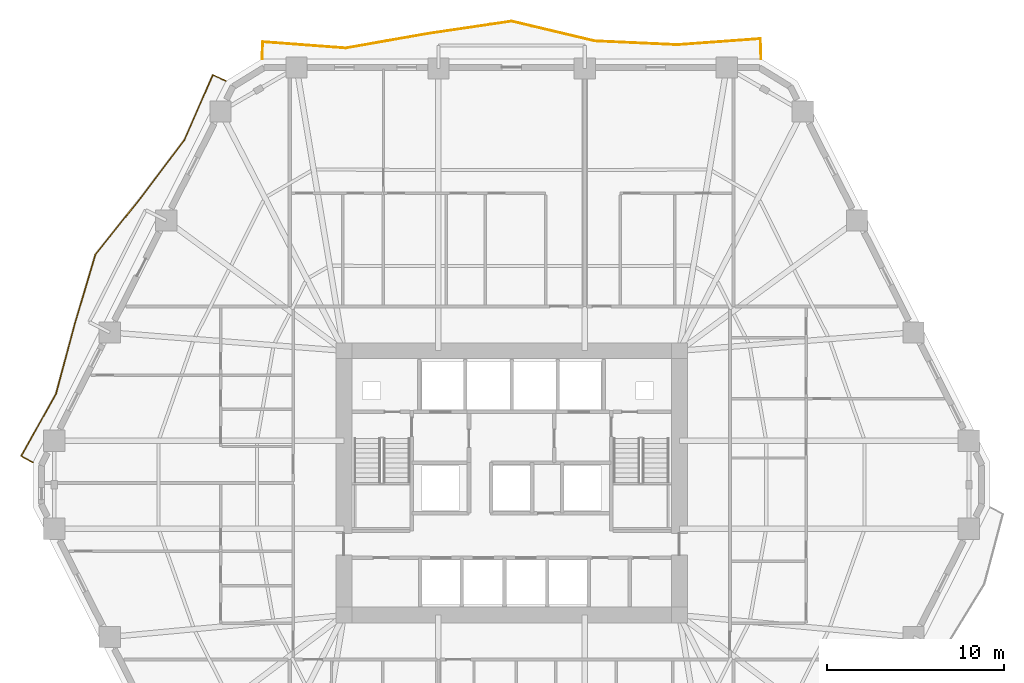
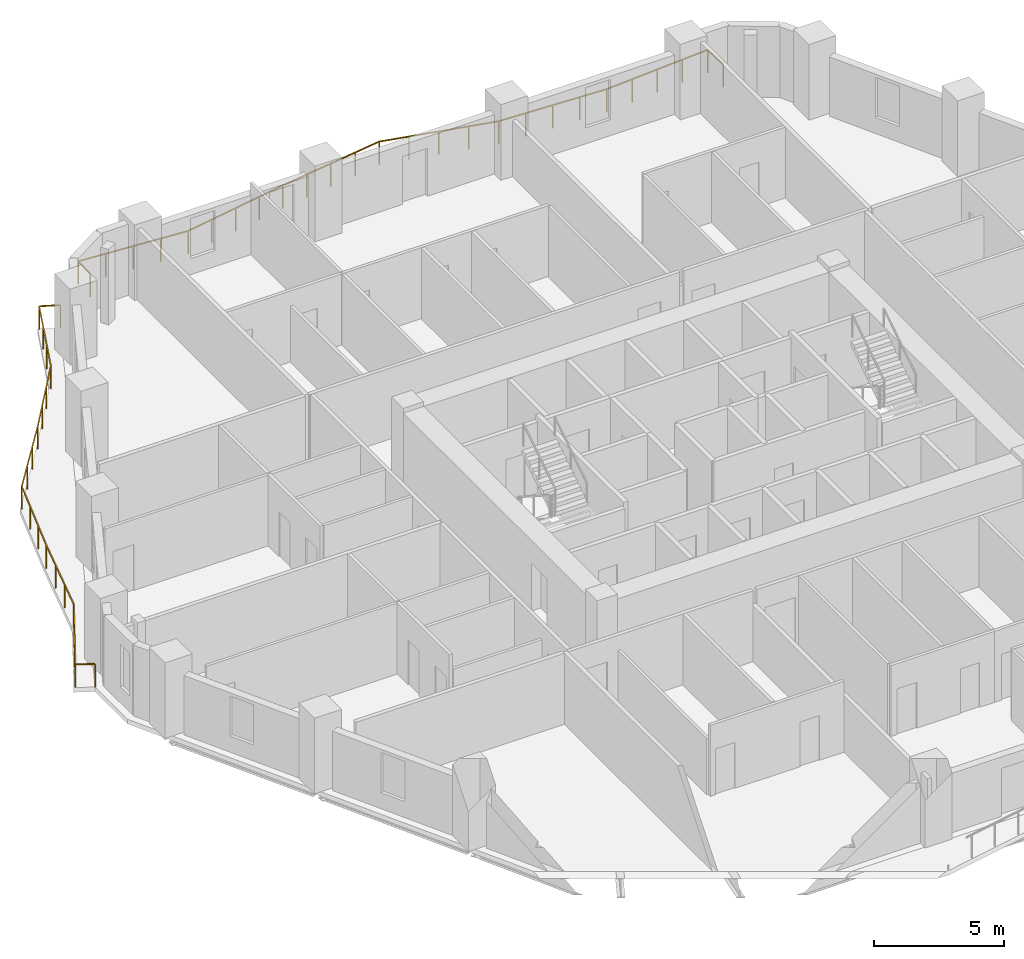
# One storey, part 12 of 12: 2 railings.
"""IFC4 building model written with IfcOpenShell, lengths in metres."""

from ifc_helpers import new_model, si_unit, direction, frame, origin, origin_2d, place, context, subcontext, project, spatial, rectangle, extrude, material, type_object, element, save


model = new_model("IFC4")

# Units and contexts
model_context = context("Model", 3, precision=1e-05, world=origin(), true_north=direction((0.0, 1.0)))
body_context = subcontext(model_context, "Body", "Model", "MODEL_VIEW")
ifc_project = project(units=[si_unit("LENGTHUNIT", "METRE"), si_unit("AREAUNIT", "SQUARE_METRE"), si_unit("VOLUMEUNIT", "CUBIC_METRE"), si_unit("PLANEANGLEUNIT", "RADIAN"), si_unit("MASSUNIT", "GRAM", prefix="KILO")], contexts=[model_context])

# Site, building, storey
site_placement = place(None, origin())
site = spatial("IfcSite", under=ifc_project, at=site_placement, CompositionType="ELEMENT")
building_placement = place(site_placement, origin())
building = spatial("IfcBuilding", under=site, at=building_placement, Name="Cinnabar Lancet Tower", CompositionType="ELEMENT")
storey_placement = place(building_placement, frame((0.0, 0.0, 32.0)))
storey = spatial("IfcBuildingStorey", under=building, at=storey_placement, Name="L07", CompositionType="ELEMENT", Elevation=32.0)

# Railings
ifc_material = material(Name="Laminated safety glass and bronze stainless steel balustrade", Category="steel")
railing_type = type_object("IfcRailingType", Name="ENV-RLG-BAL-1100", PredefinedType="BALUSTRADE", material=ifc_material)
railing_1_placement = place(storey_placement, frame((46.4560546875, 49.800048828125, 0.0)))
element("IfcRailing", 1, at=railing_1_placement, inside=storey, type_object=railing_type, Name="L07 Face 4 Wave Balcony Balustrade", PredefinedType="BALUSTRADE", context=body_context, shape_type="SweptSolid", body=[
    extrude(rectangle(XDim=0.048095703125, YDim=0.048095703125, at=origin_2d()), frame((0.0, 0.0, 1.076171875), z_axis=(-0.029995133036, 0.999550044767, 0.0), x_axis=(-0.999550044767, -0.029995133036, 0.0)), (0.0, 0.0, 1.0), 1.13134765625),
    extrude(rectangle(XDim=0.048095703125, YDim=0.048095703125, at=origin_2d()), frame((-0.033935546875, 1.130859375, 1.076171875), z_axis=(-0.997339174524, -0.07290110397, 0.0), x_axis=(0.07290110397, -0.997339174524, 0.0)), (0.0, 0.0, 1.0), 4.6884765625),
    extrude(rectangle(XDim=0.048095703125, YDim=0.048095703125, at=origin_2d()), frame((-4.7099609375, 0.7890625, 1.076171875), z_axis=(-0.998945280208, 0.045916523718, 0.0), x_axis=(-0.045916523718, -0.998945280208, 0.0)), (0.0, 0.0, 1.0), 4.678955078125),
    extrude(rectangle(XDim=0.048095703125, YDim=0.048095703125, at=origin_2d()), frame((-9.384033203125, 1.00390625, 1.076171875), z_axis=(-0.972776754659, 0.231744224512, 0.0), x_axis=(-0.231744224512, -0.972776754659, 0.0)), (0.0, 0.0, 1.0), 4.802978515625),
    extrude(rectangle(XDim=0.048095703125, YDim=0.048095703125, at=origin_2d()), frame((-14.05615234375, 2.116943359375, 1.076171875), z_axis=(-0.989240623333, -0.146297604726, 0.0), x_axis=(0.146297604726, -0.989240623333, 0.0)), (0.0, 0.0, 1.0), 4.72265625),
    extrude(rectangle(XDim=0.048095703125, YDim=0.048095703125, at=origin_2d()), frame((-18.72802734375, 1.426025390625, 1.076171875), z_axis=(-0.984884896707, -0.17321010432, 0.0), x_axis=(0.17321010432, -0.984884896707, 0.0)), (0.0, 0.0, 1.0), 4.745849609375),
    extrude(rectangle(XDim=0.048095703125, YDim=0.048095703125, at=origin_2d()), frame((-23.402099609375, 0.60400390625, 1.076171875), z_axis=(-0.997212787358, 0.074610031028, 0.0), x_axis=(-0.074610031028, -0.997212787358, 0.0)), (0.0, 0.0, 1.0), 4.689208984375),
    extrude(rectangle(XDim=0.048095703125, YDim=0.048095703125, at=origin_2d()), frame((-28.078125, 0.953857421875, 1.076171875), z_axis=(-0.035554674902, -0.999367732665, 0.0), x_axis=(0.999367732665, -0.035554674902, 0.0)), (0.0, 0.0, 1.0), 0.954345703125),
    extrude(rectangle(XDim=0.0419921875, YDim=0.0419921875, at=origin_2d()), origin(), (0.0, 0.0, 1.0), 1.052001953125),
    extrude(rectangle(XDim=0.0419921875, YDim=0.0419921875, at=origin_2d()), frame((-0.033935546875, 1.130859375, 0.0)), (0.0, 0.0, 1.0), 1.052001953125),
    extrude(rectangle(XDim=0.0419921875, YDim=0.0419921875, at=origin_2d()), frame((-1.202880859375, 1.04541015625, 0.0)), (0.0, 0.0, 1.0), 1.052001953125),
    extrude(rectangle(XDim=0.0419921875, YDim=0.0419921875, at=origin_2d()), frame((-2.3720703125, 0.9599609375, 0.0)), (0.0, 0.0, 1.0), 1.052001953125),
    extrude(rectangle(XDim=0.0419921875, YDim=0.0419921875, at=origin_2d()), frame((-3.541015625, 0.87451171875, 0.0)), (0.0, 0.0, 1.0), 1.052001953125),
    extrude(rectangle(XDim=0.0419921875, YDim=0.0419921875, at=origin_2d()), frame((-4.7099609375, 0.7890625, 0.0)), (0.0, 0.0, 1.0), 1.052001953125),
    extrude(rectangle(XDim=0.0419921875, YDim=0.0419921875, at=origin_2d()), frame((-5.87841796875, 0.8427734375, 0.0)), (0.0, 0.0, 1.0), 1.052001953125),
    extrude(rectangle(XDim=0.0419921875, YDim=0.0419921875, at=origin_2d()), frame((-7.046875, 0.896484375, 0.0)), (0.0, 0.0, 1.0), 1.052001953125),
    extrude(rectangle(XDim=0.0419921875, YDim=0.0419921875, at=origin_2d()), frame((-8.215576171875, 0.9501953125, 0.0)), (0.0, 0.0, 1.0), 1.052001953125),
    extrude(rectangle(XDim=0.0419921875, YDim=0.0419921875, at=origin_2d()), frame((-9.384033203125, 1.00390625, 0.0)), (0.0, 0.0, 1.0), 1.052001953125),
    extrude(rectangle(XDim=0.0419921875, YDim=0.0419921875, at=origin_2d()), frame((-10.552001953125, 1.2822265625, 0.0)), (0.0, 0.0, 1.0), 1.052001953125),
    extrude(rectangle(XDim=0.0419921875, YDim=0.0419921875, at=origin_2d()), frame((-11.72021484375, 1.560546875, 0.0)), (0.0, 0.0, 1.0), 1.052001953125),
    extrude(rectangle(XDim=0.0419921875, YDim=0.0419921875, at=origin_2d()), frame((-12.88818359375, 1.838623046875, 0.0)), (0.0, 0.0, 1.0), 1.052001953125),
    extrude(rectangle(XDim=0.0419921875, YDim=0.0419921875, at=origin_2d()), frame((-14.05615234375, 2.116943359375, 0.0)), (0.0, 0.0, 1.0), 1.052001953125),
    extrude(rectangle(XDim=0.0419921875, YDim=0.0419921875, at=origin_2d()), frame((-15.22412109375, 1.9443359375, 0.0)), (0.0, 0.0, 1.0), 1.052001953125),
    extrude(rectangle(XDim=0.0419921875, YDim=0.0419921875, at=origin_2d()), frame((-16.39208984375, 1.771484375, 0.0)), (0.0, 0.0, 1.0), 1.052001953125),
    extrude(rectangle(XDim=0.0419921875, YDim=0.0419921875, at=origin_2d()), frame((-17.56005859375, 1.5986328125, 0.0)), (0.0, 0.0, 1.0), 1.052001953125),
    extrude(rectangle(XDim=0.0419921875, YDim=0.0419921875, at=origin_2d()), frame((-18.72802734375, 1.426025390625, 0.0)), (0.0, 0.0, 1.0), 1.052001953125),
    extrude(rectangle(XDim=0.0419921875, YDim=0.0419921875, at=origin_2d()), frame((-19.896484375, 1.220458984375, 0.0)), (0.0, 0.0, 1.0), 1.052001953125),
    extrude(rectangle(XDim=0.0419921875, YDim=0.0419921875, at=origin_2d()), frame((-21.06494140625, 1.01513671875, 0.0)), (0.0, 0.0, 1.0), 1.052001953125),
    extrude(rectangle(XDim=0.0419921875, YDim=0.0419921875, at=origin_2d()), frame((-22.233642578125, 0.8095703125, 0.0)), (0.0, 0.0, 1.0), 1.052001953125),
    extrude(rectangle(XDim=0.0419921875, YDim=0.0419921875, at=origin_2d()), frame((-23.402099609375, 0.60400390625, 0.0)), (0.0, 0.0, 1.0), 1.052001953125),
    extrude(rectangle(XDim=0.0419921875, YDim=0.0419921875, at=origin_2d()), frame((-24.571044921875, 0.69140625, 0.0)), (0.0, 0.0, 1.0), 1.052001953125),
    extrude(rectangle(XDim=0.0419921875, YDim=0.0419921875, at=origin_2d()), frame((-25.740234375, 0.77880859375, 0.0)), (0.0, 0.0, 1.0), 1.052001953125),
    extrude(rectangle(XDim=0.0419921875, YDim=0.0419921875, at=origin_2d()), frame((-26.9091796875, 0.866455078125, 0.0)), (0.0, 0.0, 1.0), 1.052001953125),
    extrude(rectangle(XDim=0.0419921875, YDim=0.0419921875, at=origin_2d()), frame((-28.078125, 0.953857421875, 0.0)), (0.0, 0.0, 1.0), 1.052001953125),
    extrude(rectangle(XDim=0.0419921875, YDim=0.0419921875, at=origin_2d()), frame((-28.112060546875, 0.0, 0.0)), (0.0, 0.0, 1.0), 1.052001953125),
])
railing_2_placement = place(storey_placement, frame((16.31201171875, 48.551025390625, 0.0)))
element("IfcRailing", 2, at=railing_2_placement, inside=storey, type_object=railing_type, Name="L07 Face 5 Wave Balcony Balustrade", PredefinedType="BALUSTRADE", context=body_context, shape_type="SweptSolid", body=[
    extrude(rectangle(XDim=0.048095703125, YDim=0.048095703125, at=origin_2d()), frame((0.0, 0.0, 1.076171875), z_axis=(-0.909195732356, 0.416368971304, 0.0), x_axis=(-0.416368971304, -0.909195732356, 0.0)), (0.0, 0.0, 1.0), 0.82373046875),
    extrude(rectangle(XDim=0.048095703125, YDim=0.048095703125, at=origin_2d()), frame((-0.7490234375, 0.343017578125, 1.076171875), z_axis=(-0.40006892824, -0.916485053155, 0.0), x_axis=(0.916485053155, -0.40006892824, 0.0)), (0.0, 0.0, 1.0), 4.01416015625),
    extrude(rectangle(XDim=0.048095703125, YDim=0.048095703125, at=origin_2d()), frame((-2.35498046875, -3.3359375, 1.076171875), z_axis=(-0.602836482743, -0.79786475989, 0.0), x_axis=(0.79786475989, -0.602836482743, 0.0)), (0.0, 0.0, 1.0), 4.071044921875),
    extrude(rectangle(XDim=0.048095703125, YDim=0.048095703125, at=origin_2d()), frame((-4.80908203125, -6.583984375, 1.076171875), z_axis=(-0.624411226015, -0.781095782108, 0.0), x_axis=(0.781095782108, -0.624411226015, 0.0)), (0.0, 0.0, 1.0), 4.091796875),
    extrude(rectangle(XDim=0.048095703125, YDim=0.048095703125, at=origin_2d()), frame((-7.364013671875, -9.780029296875, 1.076171875), z_axis=(-0.284645645205, -0.958632805961, 0.0), x_axis=(0.958632805961, -0.284645645205, 0.0)), (0.0, 0.0, 1.0), 4.071533203125),
    extrude(rectangle(XDim=0.048095703125, YDim=0.048095703125, at=origin_2d()), frame((-8.52294921875, -13.68310546875, 1.076171875), z_axis=(-0.260031247645, -0.965600202075, 0.0), x_axis=(0.965600202075, -0.260031247645, 0.0)), (0.0, 0.0, 1.0), 4.091796875),
    extrude(rectangle(XDim=0.048095703125, YDim=0.048095703125, at=origin_2d()), frame((-9.5869140625, -17.634033203125, 1.076171875), z_axis=(-0.487750405894, -0.872983127873, 0.0), x_axis=(0.872983127873, -0.487750405894, 0.0)), (0.0, 0.0, 1.0), 4.01025390625),
    extrude(rectangle(XDim=0.048095703125, YDim=0.048095703125, at=origin_2d()), frame((-11.54296875, -21.135009765625, 1.076171875), z_axis=(0.874885893196, -0.484329096675, 0.0), x_axis=(0.484329096675, 0.874885893196, 0.0)), (0.0, 0.0, 1.0), 0.757568359375),
    extrude(rectangle(XDim=0.0419921875, YDim=0.0419921875, at=origin_2d()), origin(), (0.0, 0.0, 1.0), 1.052001953125),
    extrude(rectangle(XDim=0.0419921875, YDim=0.0419921875, at=origin_2d()), frame((-0.7490234375, 0.343017578125, 0.0)), (0.0, 0.0, 1.0), 1.052001953125),
    extrude(rectangle(XDim=0.0419921875, YDim=0.0419921875, at=origin_2d()), frame((-1.284423828125, -0.88330078125, 0.0)), (0.0, 0.0, 1.0), 1.052001953125),
    extrude(rectangle(XDim=0.0419921875, YDim=0.0419921875, at=origin_2d()), frame((-1.819580078125, -2.109619140625, 0.0)), (0.0, 0.0, 1.0), 1.052001953125),
    extrude(rectangle(XDim=0.0419921875, YDim=0.0419921875, at=origin_2d()), frame((-2.35498046875, -3.3359375, 0.0)), (0.0, 0.0, 1.0), 1.052001953125),
    extrude(rectangle(XDim=0.0419921875, YDim=0.0419921875, at=origin_2d()), frame((-3.173095703125, -4.418701171875, 0.0)), (0.0, 0.0, 1.0), 1.052001953125),
    extrude(rectangle(XDim=0.0419921875, YDim=0.0419921875, at=origin_2d()), frame((-3.990966796875, -5.501220703125, 0.0)), (0.0, 0.0, 1.0), 1.052001953125),
    extrude(rectangle(XDim=0.0419921875, YDim=0.0419921875, at=origin_2d()), frame((-4.80908203125, -6.583984375, 0.0)), (0.0, 0.0, 1.0), 1.052001953125),
    extrude(rectangle(XDim=0.0419921875, YDim=0.0419921875, at=origin_2d()), frame((-5.66064453125, -7.6494140625, 0.0)), (0.0, 0.0, 1.0), 1.052001953125),
    extrude(rectangle(XDim=0.0419921875, YDim=0.0419921875, at=origin_2d()), frame((-6.512451171875, -8.714599609375, 0.0)), (0.0, 0.0, 1.0), 1.052001953125),
    extrude(rectangle(XDim=0.0419921875, YDim=0.0419921875, at=origin_2d()), frame((-7.364013671875, -9.780029296875, 0.0)), (0.0, 0.0, 1.0), 1.052001953125),
    extrude(rectangle(XDim=0.0419921875, YDim=0.0419921875, at=origin_2d()), frame((-7.750244140625, -11.0810546875, 0.0)), (0.0, 0.0, 1.0), 1.052001953125),
    extrude(rectangle(XDim=0.0419921875, YDim=0.0419921875, at=origin_2d()), frame((-8.13671875, -12.382080078125, 0.0)), (0.0, 0.0, 1.0), 1.052001953125),
    extrude(rectangle(XDim=0.0419921875, YDim=0.0419921875, at=origin_2d()), frame((-8.52294921875, -13.68310546875, 0.0)), (0.0, 0.0, 1.0), 1.052001953125),
    extrude(rectangle(XDim=0.0419921875, YDim=0.0419921875, at=origin_2d()), frame((-8.877685546875, -15.0, 0.0)), (0.0, 0.0, 1.0), 1.052001953125),
    extrude(rectangle(XDim=0.0419921875, YDim=0.0419921875, at=origin_2d()), frame((-9.232177734375, -16.317138671875, 0.0)), (0.0, 0.0, 1.0), 1.052001953125),
    extrude(rectangle(XDim=0.0419921875, YDim=0.0419921875, at=origin_2d()), frame((-9.5869140625, -17.634033203125, 0.0)), (0.0, 0.0, 1.0), 1.052001953125),
    extrude(rectangle(XDim=0.0419921875, YDim=0.0419921875, at=origin_2d()), frame((-10.239013671875, -18.801025390625, 0.0)), (0.0, 0.0, 1.0), 1.052001953125),
    extrude(rectangle(XDim=0.0419921875, YDim=0.0419921875, at=origin_2d()), frame((-10.890869140625, -19.968017578125, 0.0)), (0.0, 0.0, 1.0), 1.052001953125),
    extrude(rectangle(XDim=0.0419921875, YDim=0.0419921875, at=origin_2d()), frame((-11.54296875, -21.135009765625, 0.0)), (0.0, 0.0, 1.0), 1.052001953125),
    extrude(rectangle(XDim=0.0419921875, YDim=0.0419921875, at=origin_2d()), frame((-10.880126953125, -21.501953125, 0.0)), (0.0, 0.0, 1.0), 1.052001953125),
])

save(model, "model.ifc")
